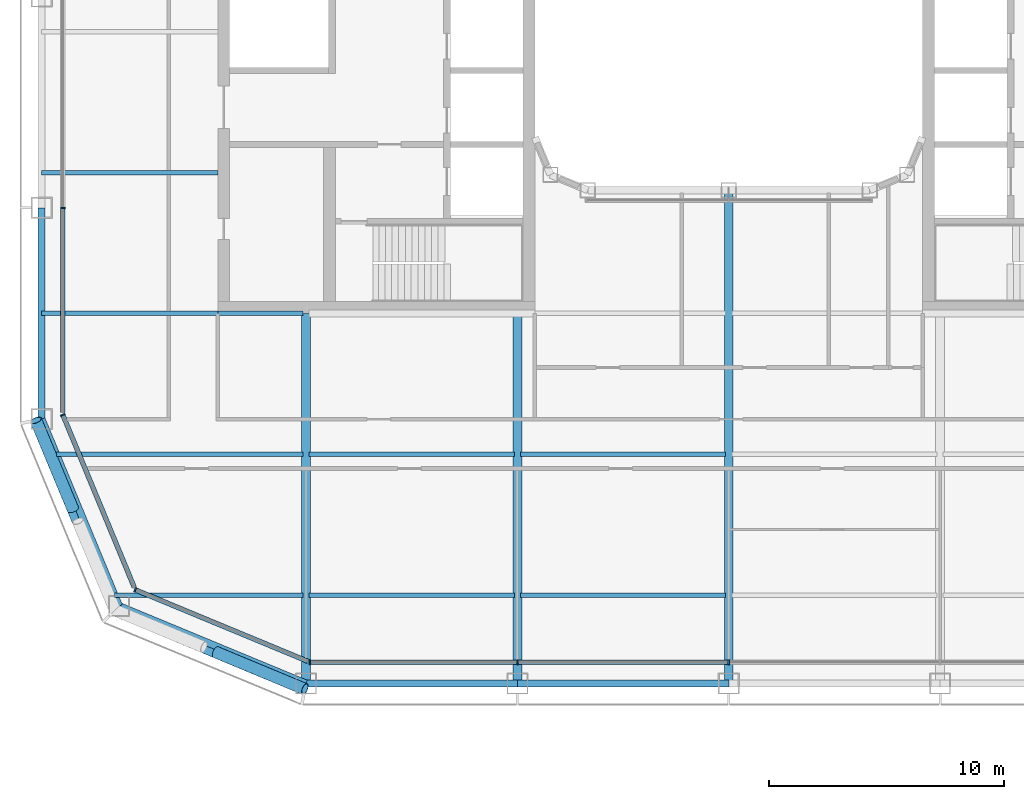
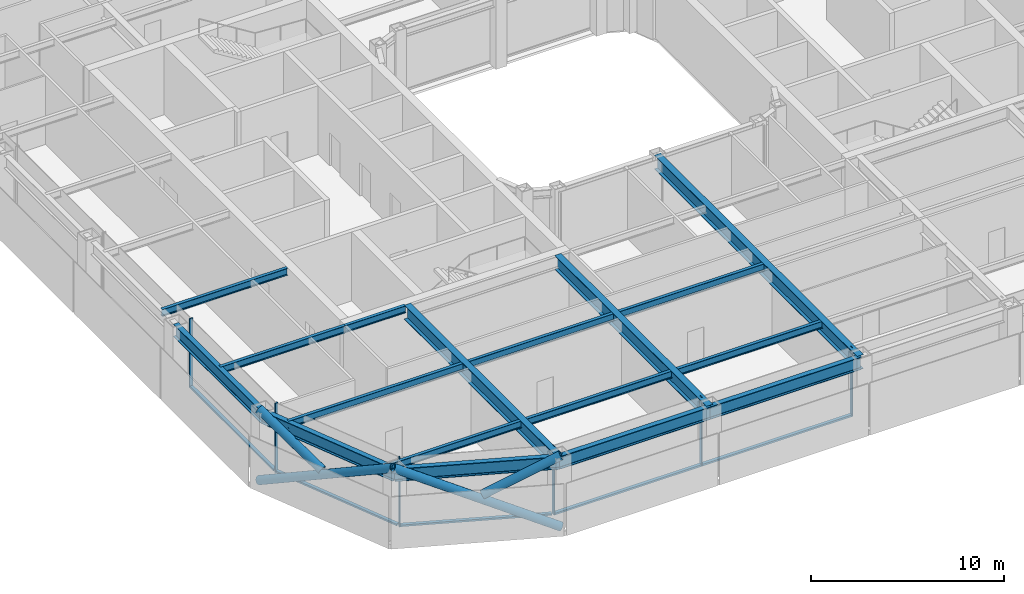
# One storey, part 2 of 23: 17 beams, 15 members, 4 elements without a shape of their own.
"""IFC4 building model written with IfcOpenShell, lengths in metres."""

from ifc_helpers import new_model, si_unit, direction, frame, origin, origin_2d, place, context, subcontext, project, spatial, rectangle, hollow_circle, i_section, extrude, material, layer, layer_set, material_profile, profile_set, type_object, element, aggregate, save


model = new_model("IFC4")

# Units and contexts
model_context = context("Model", 3, precision=1e-05, world=origin(), true_north=direction((0.0, 1.0)))
body_context = subcontext(model_context, "Body", "Model", "MODEL_VIEW")
ifc_project = project(units=[si_unit("LENGTHUNIT", "METRE"), si_unit("AREAUNIT", "SQUARE_METRE"), si_unit("VOLUMEUNIT", "CUBIC_METRE"), si_unit("PLANEANGLEUNIT", "RADIAN"), si_unit("MASSUNIT", "GRAM", prefix="KILO")], contexts=[model_context])

# Site, building, storey
site_placement = place(None, origin())
site = spatial("IfcSite", under=ifc_project, at=site_placement, CompositionType="ELEMENT")
building_placement = place(site_placement, origin())
building = spatial("IfcBuilding", under=site, at=building_placement, Name="Siwar Civic Tower", CompositionType="ELEMENT")
storey_placement = place(building_placement, frame((0.0, 0.0, 163.199951171875)))
storey = spatial("IfcBuildingStorey", under=building, at=storey_placement, Name="L35", CompositionType="ELEMENT", Elevation=163.199951171875)

# Curtain wall, members
ifc_material_1 = material(Name="Aluminium and glass", Category="aluminium")
ifc_layer_1 = layer(ifc_material_1, 0.199951171875)
ifc_layer_set_1 = layer_set([ifc_layer_1], Name="Aluminium and glass")
curtain_wall_type_1 = type_object("IfcCurtainWallType", Name="ENV-CW-B", PredefinedType="NOTDEFINED", material=ifc_layer_set_1)
curtain_wall_1_placement = place(storey_placement, origin())
curtain_wall_1 = element("IfcCurtainWall", 1, at=curtain_wall_1_placement, inside=storey, type_object=curtain_wall_type_1, Name="Curtain wall B S", PredefinedType="NOTDEFINED")
ifc_material_2 = material(Name="Aluminium 6063-T6", Category="aluminium")
ifc_material_profile_1 = material_profile(ifc_material_2, rectangle(XDim=0.199951171875, YDim=0.06494140625, at=origin_2d()), Name="AL 200x65")
ifc_profile_set_1 = profile_set([ifc_material_profile_1], Name="Aluminium 6063-T6")
member_type_1 = type_object("IfcMemberType", Name="ENV-MULLION-B", PredefinedType="MULLION", material=ifc_profile_set_1)
member_1_placement = place(storey_placement, frame((-17.821044921875, -28.35009765625, 0.0), z_axis=(0.0, 0.0, 1.0), x_axis=(0.0, 1.0, 0.0)))
member_1 = element("IfcMember", 2, at=member_1_placement, type_object=member_type_1, Name="Mullion B S 1", PredefinedType="MULLION", context=body_context, shape_type="SweptSolid", body=[
    extrude(rectangle(XDim=0.199951171875, YDim=0.06494140625, at=origin_2d()), origin(), (0.0, 0.0, 1.0), 4.35009765625),
])
member_2_placement = place(storey_placement, frame((-9.0, -28.35009765625, 0.0), z_axis=(0.0, 0.0, 1.0), x_axis=(0.0, 1.0, 0.0)))
member_2 = element("IfcMember", 3, at=member_2_placement, type_object=member_type_1, Name="Mullion B S 2", PredefinedType="MULLION", context=body_context, shape_type="SweptSolid", body=[
    extrude(rectangle(XDim=0.199951171875, YDim=0.06494140625, at=origin_2d()), origin(), (0.0, 0.0, 1.0), 4.35009765625),
])
member_3_placement = place(storey_placement, frame((0.0, -28.35009765625, 0.0), z_axis=(0.0, 0.0, 1.0), x_axis=(0.0, 1.0, 0.0)))
member_3 = element("IfcMember", 4, at=member_3_placement, type_object=member_type_1, Name="Mullion B S 3", PredefinedType="MULLION", context=body_context, shape_type="SweptSolid", body=[
    extrude(rectangle(XDim=0.199951171875, YDim=0.06494140625, at=origin_2d()), origin(), (0.0, 0.0, 1.0), 4.35009765625),
])

# Curtain wall, member
curtain_wall_2_placement = place(storey_placement, origin())
curtain_wall_2 = element("IfcCurtainWall", 5, at=curtain_wall_2_placement, inside=storey, type_object=curtain_wall_type_1, Name="Curtain wall B W", PredefinedType="NOTDEFINED")
member_4_placement = place(storey_placement, frame((-28.35009765625, -9.0, 0.0), z_axis=(0.0, 0.0, 1.0), x_axis=(1.0, 0.0, 0.0)))
member_4 = element("IfcMember", 6, at=member_4_placement, type_object=member_type_1, Name="Mullion B W 4", PredefinedType="MULLION", context=body_context, shape_type="SweptSolid", body=[
    extrude(rectangle(XDim=0.199951171875, YDim=0.06494140625, at=origin_2d()), origin(), (0.0, 0.0, 1.0), 4.35009765625),
])

ifc_material_3 = material(Name="Aluminium clad insulated panel", Category="aluminium")
ifc_layer_2 = layer(ifc_material_3, 0.199951171875)
ifc_layer_set_2 = layer_set([ifc_layer_2], Name="Aluminium clad insulated panel")
curtain_wall_type_2 = type_object("IfcCurtainWallType", Name="ENV-CW-BX", PredefinedType="NOTDEFINED", material=ifc_layer_set_2)
curtain_wall_3_placement = place(storey_placement, origin())
curtain_wall_3 = element("IfcCurtainWall", 7, at=curtain_wall_3_placement, inside=storey, type_object=curtain_wall_type_2, Name="Curtain wall B SW1", PredefinedType="NOTDEFINED")
member_5_placement = place(storey_placement, frame((-28.35009765625, -17.821044921875, 0.0), z_axis=(0.0, 0.0, 1.0), x_axis=(0.923879532511, 0.382683432365, 0.0)))
member_5 = element("IfcMember", 8, at=member_5_placement, type_object=member_type_1, Name="Mullion B SW1 1", PredefinedType="MULLION", context=body_context, shape_type="SweptSolid", body=[
    extrude(rectangle(XDim=0.199951171875, YDim=0.06494140625, at=origin_2d()), origin(), (0.0, 0.0, 1.0), 4.35009765625),
])

curtain_wall_4_placement = place(storey_placement, origin())
curtain_wall_4 = element("IfcCurtainWall", 9, at=curtain_wall_4_placement, inside=storey, type_object=curtain_wall_type_2, Name="Curtain wall B SW2", PredefinedType="NOTDEFINED")
member_6_placement = place(storey_placement, frame((-25.26611328125, -25.26611328125, 0.0), z_axis=(0.0, 0.0, 1.0), x_axis=(0.382683432365, 0.923879532511, 0.0)))
member_6 = element("IfcMember", 10, at=member_6_placement, type_object=member_type_1, Name="Mullion B SW2 1", PredefinedType="MULLION", context=body_context, shape_type="SweptSolid", body=[
    extrude(rectangle(XDim=0.199951171875, YDim=0.06494140625, at=origin_2d()), origin(), (0.0, 0.0, 1.0), 4.35009765625),
])

# Member
ifc_material_4 = material(Name="Aluminium 6063-T6", Category="aluminium")
ifc_material_profile_2 = material_profile(ifc_material_4, rectangle(XDim=0.199951171875, YDim=0.110107421875, at=origin_2d()), Name="AL 200x110")
ifc_profile_set_2 = profile_set([ifc_material_profile_2], Name="Aluminium 6063-T6")
member_type_2 = type_object("IfcMemberType", Name="ENV-TRANSOM-B", PredefinedType="USERDEFINED", material=ifc_profile_set_2)
member_7_placement = place(storey_placement, frame((-17.78857421875, -28.35009765625, 0.054931640625), z_axis=(1.0, 0.0, 0.0), x_axis=(0.0, 1.0, 0.0)))
member_7 = element("IfcMember", 11, at=member_7_placement, type_object=member_type_2, Name="Transom B S 1", ObjectType="TRANSOM", PredefinedType="USERDEFINED", context=body_context, shape_type="SweptSolid", body=[
    extrude(rectangle(XDim=0.199951171875, YDim=0.110107421875, at=origin_2d()), origin(), (0.0, 0.0, 1.0), 8.756103515625),
])

member_8_placement = place(storey_placement, frame((-8.967529296875, -28.35009765625, 0.054931640625), z_axis=(1.0, 0.0, 0.0), x_axis=(0.0, 1.0, 0.0)))
member_8 = element("IfcMember", 12, at=member_8_placement, type_object=member_type_2, Name="Transom B S 2", ObjectType="TRANSOM", PredefinedType="USERDEFINED", context=body_context, shape_type="SweptSolid", body=[
    extrude(rectangle(XDim=0.199951171875, YDim=0.110107421875, at=origin_2d()), origin(), (0.0, 0.0, 1.0), 8.93505859375),
])

aggregate(curtain_wall_1, [member_1, member_2, member_3, member_7, member_8])

member_9_placement = place(storey_placement, frame((-28.35009765625, -9.032470703125, 0.054931640625), z_axis=(0.0, -1.0, 0.0), x_axis=(1.0, 0.0, 0.0)))
member_9 = element("IfcMember", 13, at=member_9_placement, type_object=member_type_2, Name="Transom B W 4", ObjectType="TRANSOM", PredefinedType="USERDEFINED", context=body_context, shape_type="SweptSolid", body=[
    extrude(rectangle(XDim=0.199951171875, YDim=0.110107421875, at=origin_2d()), origin(), (0.0, 0.0, 1.0), 8.6748046875),
])

aggregate(curtain_wall_2, [member_4, member_9])

member_10_placement = place(storey_placement, frame((-28.337646484375, -17.85107421875, 0.054931640625), z_axis=(0.382699695651, -0.92387279587, 0.0), x_axis=(0.92387279587, 0.382699695651, 0.0)))
member_10 = element("IfcMember", 14, at=member_10_placement, type_object=member_type_2, Name="Transom B SW1 1", ObjectType="TRANSOM", PredefinedType="USERDEFINED", context=body_context, shape_type="SweptSolid", body=[
    extrude(rectangle(XDim=0.199951171875, YDim=0.110107421875, at=origin_2d()), origin(), (0.0, 0.0, 1.0), 7.912353515625),
])

aggregate(curtain_wall_3, [member_5, member_10])

member_11_placement = place(storey_placement, frame((-25.236083984375, -25.278564453125, 0.054931640625), z_axis=(0.923883705044, -0.382673358825, 0.0), x_axis=(0.382673358825, 0.923883705044, 0.0)))
member_11 = element("IfcMember", 15, at=member_11_placement, type_object=member_type_2, Name="Transom B SW2 1", ObjectType="TRANSOM", PredefinedType="USERDEFINED", context=body_context, shape_type="SweptSolid", body=[
    extrude(rectangle(XDim=0.199951171875, YDim=0.110107421875, at=origin_2d()), origin(), (0.0, 0.0, 1.0), 7.912353515625),
])

aggregate(curtain_wall_4, [member_6, member_11])

# Members
ifc_material_5 = material(Name="Steel S355", Category="steel")
ifc_material_profile_3 = material_profile(ifc_material_5, hollow_circle(Radius=0.25390625, WallThickness=0.02490234375, at=origin_2d()), Name="CHS508x25")
ifc_profile_set_3 = profile_set([ifc_material_profile_3], Name="Steel S355")
member_type_3 = type_object("IfcMemberType", Name="STR-BR-CHS508x25", PredefinedType="BRACE", material=ifc_profile_set_3)
member_12_placement = place(storey_placement, frame((-18.048828125, -29.4951171875, 0.0), z_axis=(-0.821142553604, 0.341671493852, 0.457149315816), x_axis=(-0.384163874976, -0.923264922524, 0.0)))
element("IfcMember", 16, at=member_12_placement, inside=storey, type_object=member_type_3, Name="L35/brc/BSW1-14-0-1", PredefinedType="BRACE", context=body_context, shape_type="SweptSolid", body=[
    extrude(hollow_circle(Radius=0.25390625, WallThickness=0.02490234375, at=origin_2d()), origin(), (0.0, 0.0, 1.0), 9.843505859375),
])
member_13_placement = place(storey_placement, frame((-21.837890625, -27.91845703125, 2.390625), z_axis=(0.821145902409, -0.34168558233, 0.457132770413), x_axis=(0.384176042158, 0.923259859753, 0.0)))
element("IfcMember", 17, at=member_13_placement, inside=storey, type_object=member_type_3, Name="L35/brc/BSW1-14-0-3", PredefinedType="BRACE", context=body_context, shape_type="SweptSolid", body=[
    extrude(hollow_circle(Radius=0.25390625, WallThickness=0.02490234375, at=origin_2d()), origin(), (0.0, 0.0, 1.0), 4.6142578125),
])
member_14_placement = place(storey_placement, frame((-29.4951171875, -18.048828125, 0.0), z_axis=(0.341671493852, -0.821142553604, 0.457149315816), x_axis=(0.923264922524, 0.384163874976, 0.0)))
element("IfcMember", 18, at=member_14_placement, inside=storey, type_object=member_type_3, Name="L35/brc/BSW1-14-0-0", PredefinedType="BRACE", context=body_context, shape_type="SweptSolid", body=[
    extrude(hollow_circle(Radius=0.25390625, WallThickness=0.02490234375, at=origin_2d()), origin(), (0.0, 0.0, 1.0), 9.843505859375),
])
member_15_placement = place(storey_placement, frame((-27.91845703125, -21.837890625, 2.390625), z_axis=(-0.34168558233, 0.821145902409, 0.457132770413), x_axis=(-0.923259859753, -0.384176042158, 0.0)))
element("IfcMember", 19, at=member_15_placement, inside=storey, type_object=member_type_3, Name="L35/brc/BSW1-14-0-5", PredefinedType="BRACE", context=body_context, shape_type="SweptSolid", body=[
    extrude(hollow_circle(Radius=0.25390625, WallThickness=0.02490234375, at=origin_2d()), origin(), (0.0, 0.0, 1.0), 4.6142578125),
])

# Beams
ifc_material_6 = material(Name="Steel S355", Category="steel")
ifc_material_profile_4 = material_profile(ifc_material_6, i_section(OverallWidth=0.18994140625, OverallDepth=0.449951171875, WebThickness=0.009521484375, FlangeThickness=0.0146484375, FilletRadius=0.02099609375, at=origin_2d()), Name="IPE450")
ifc_profile_set_4 = profile_set([ifc_material_profile_4], Name="Steel S355")
beam_type_1 = type_object("IfcBeamType", Name="STR-FB-IPE450", PredefinedType="JOIST", material=ifc_profile_set_4)
beam_1_placement = place(storey_placement, frame((-26.143310546875, -25.5, 4.125), z_axis=(1.0, 0.0, 0.0), x_axis=(0.0, 1.0, 0.0)))
element("IfcBeam", 20, at=beam_1_placement, inside=storey, type_object=beam_type_1, Name="L35/bm/F001", PredefinedType="JOIST", context=body_context, shape_type="SweptSolid", body=[
    extrude(i_section(OverallWidth=0.18994140625, OverallDepth=0.449951171875, WebThickness=0.009521484375, FlangeThickness=0.0146484375, FilletRadius=0.02099609375, at=origin_2d()), origin(), (0.0, 0.0, 1.0), 8.013427734375),
])
for number, where, z_axis, x_axis, name in (
    (21, (-17.8701171875, -25.5, 4.125), (1.0, 0.0, 0.0), (0.0, 1.0, 0.0), "L35/bm/F002"),
    (22, (-8.8701171875, -25.5, 4.125), (1.0, 0.0, 0.0), (0.0, 1.0, 0.0), "L35/bm/F003"),
):
    element("IfcBeam", number, at=place(storey_placement, frame(where, z_axis=z_axis, x_axis=x_axis)), inside=storey, type_object=beam_type_1, Name=name, PredefinedType="JOIST", context=body_context, shape_type="SweptSolid", body=[
        extrude(i_section(OverallWidth=0.18994140625, OverallDepth=0.449951171875, WebThickness=0.009521484375, FlangeThickness=0.0146484375, FilletRadius=0.02099609375, at=origin_2d()), origin(), (0.0, 0.0, 1.0), 8.740234375),
    ])
beam_2_placement = place(storey_placement, frame((-28.628662109375, -19.5, 4.125), z_axis=(1.0, 0.0, 0.0), x_axis=(0.0, 1.0, 0.0)))
element("IfcBeam", 23, at=beam_2_placement, inside=storey, type_object=beam_type_1, Name="L35/bm/F007", PredefinedType="JOIST", context=body_context, shape_type="SweptSolid", body=[
    extrude(i_section(OverallWidth=0.18994140625, OverallDepth=0.449951171875, WebThickness=0.009521484375, FlangeThickness=0.0146484375, FilletRadius=0.02099609375, at=origin_2d()), origin(), (0.0, 0.0, 1.0), 10.498779296875),
])
for number, where, z_axis, x_axis, name in (
    (24, (-17.8701171875, -19.5, 4.125), (1.0, 0.0, 0.0), (0.0, 1.0, 0.0), "L35/bm/F008"),
    (25, (-8.8701171875, -19.5, 4.125), (1.0, 0.0, 0.0), (0.0, 1.0, 0.0), "L35/bm/F009"),
):
    element("IfcBeam", number, at=place(storey_placement, frame(where, z_axis=z_axis, x_axis=x_axis)), inside=storey, type_object=beam_type_1, Name=name, PredefinedType="JOIST", context=body_context, shape_type="SweptSolid", body=[
        extrude(i_section(OverallWidth=0.18994140625, OverallDepth=0.449951171875, WebThickness=0.009521484375, FlangeThickness=0.0146484375, FilletRadius=0.02099609375, at=origin_2d()), origin(), (0.0, 0.0, 1.0), 8.740234375),
    ])
beam_3_placement = place(storey_placement, frame((-29.25, -13.5, 4.125), z_axis=(1.0, 0.0, 0.0), x_axis=(0.0, 1.0, 0.0)))
element("IfcBeam", 26, at=beam_3_placement, inside=storey, type_object=beam_type_1, Name="L35/bm/F013", PredefinedType="JOIST", context=body_context, shape_type="SweptSolid", body=[
    extrude(i_section(OverallWidth=0.18994140625, OverallDepth=0.449951171875, WebThickness=0.009521484375, FlangeThickness=0.0146484375, FilletRadius=0.02099609375, at=origin_2d()), origin(), (0.0, 0.0, 1.0), 7.5),
])
beam_4_placement = place(storey_placement, frame((-21.75, -13.5, 4.125), z_axis=(1.0, 0.0, 0.0), x_axis=(0.0, 1.0, 0.0)))
element("IfcBeam", 27, at=beam_4_placement, inside=storey, type_object=beam_type_1, Name="L35/bm/F014", PredefinedType="JOIST", context=body_context, shape_type="SweptSolid", body=[
    extrude(i_section(OverallWidth=0.18994140625, OverallDepth=0.449951171875, WebThickness=0.009521484375, FlangeThickness=0.0146484375, FilletRadius=0.02099609375, at=origin_2d()), origin(), (0.0, 0.0, 1.0), 3.6201171875),
])
beam_5_placement = place(storey_placement, frame((-29.25, -7.5, 4.125), z_axis=(1.0, 0.0, 0.0), x_axis=(0.0, 1.0, 0.0)))
element("IfcBeam", 28, at=beam_5_placement, inside=storey, type_object=beam_type_1, Name="L35/bm/F021", PredefinedType="JOIST", context=body_context, shape_type="SweptSolid", body=[
    extrude(i_section(OverallWidth=0.18994140625, OverallDepth=0.449951171875, WebThickness=0.009521484375, FlangeThickness=0.0146484375, FilletRadius=0.02099609375, at=origin_2d()), origin(), (0.0, 0.0, 1.0), 7.5),
])
ifc_material_7 = material(Name="Steel S355", Category="steel")
ifc_material_profile_5 = material_profile(ifc_material_7, i_section(OverallWidth=0.3798828125, OverallDepth=0.89990234375, WebThickness=0.01611328125, FlangeThickness=0.035888671875, at=origin_2d()), Name="PG900x380x16x36")
ifc_profile_set_5 = profile_set([ifc_material_profile_5], Name="Steel S355")
beam_type_2 = type_object("IfcBeamType", Name="STR-PG-PG900x380x16x36", PredefinedType="BEAM", material=ifc_profile_set_5)
for number, where, z_axis, x_axis, name in (
    (29, (-18.0, -29.25, 3.900146484375), (0.0, 1.0, 0.0), (-1.0, 0.0, 0.0), "L35/bm/G01"),
    (30, (-9.0, -29.25, 3.900146484375), (0.0, 1.0, 0.0), (-1.0, 0.0, 0.0), "L35/bm/G03"),
):
    element("IfcBeam", number, at=place(storey_placement, frame(where, z_axis=z_axis, x_axis=x_axis)), inside=storey, type_object=beam_type_2, Name=name, PredefinedType="BEAM", context=body_context, shape_type="SweptSolid", body=[
        extrude(i_section(OverallWidth=0.3798828125, OverallDepth=0.89990234375, WebThickness=0.01611328125, FlangeThickness=0.035888671875, at=origin_2d()), origin(), (0.0, 0.0, 1.0), 15.75),
    ])
beam_6_placement = place(storey_placement, frame((0.0, -29.25, 3.900146484375), z_axis=(0.0, 1.0, 0.0), x_axis=(-1.0, 0.0, 0.0)))
element("IfcBeam", 31, at=beam_6_placement, inside=storey, type_object=beam_type_2, Name="L35/bm/G05", PredefinedType="BEAM", context=body_context, shape_type="SweptSolid", body=[
    extrude(i_section(OverallWidth=0.3798828125, OverallDepth=0.89990234375, WebThickness=0.01611328125, FlangeThickness=0.035888671875, at=origin_2d()), origin(), (0.0, 0.0, 1.0), 21.0),
])
ifc_material_8 = material(Name="Steel S355", Category="steel")
ifc_material_profile_6 = material_profile(ifc_material_8, i_section(OverallWidth=0.300048828125, OverallDepth=0.800048828125, WebThickness=0.017578125, FlangeThickness=0.032958984375, FilletRadius=0.030029296875, at=origin_2d()), Name="HEB800")
ifc_profile_set_6 = profile_set([ifc_material_profile_6], Name="Steel S355")
beam_type_3 = type_object("IfcBeamType", Name="STR-SB-HEB800", PredefinedType="BEAM", material=ifc_profile_set_6)
for number, where, z_axis, x_axis, name in (
    (32, (-18.0, -29.25, 3.949951171875), (1.0, 0.0, 0.0), (0.0, 1.0, 0.0), "L35/bm/SS-0"),
    (33, (-9.0, -29.25, 3.949951171875), (1.0, 0.0, 0.0), (0.0, 1.0, 0.0), "L35/bm/SS-1"),
    (34, (-29.25, -9.0, 3.949951171875), (0.0, -1.0, 0.0), (1.0, 0.0, 0.0), "L35/bm/SW-3"),
):
    element("IfcBeam", number, at=place(storey_placement, frame(where, z_axis=z_axis, x_axis=x_axis)), inside=storey, type_object=beam_type_3, Name=name, PredefinedType="BEAM", context=body_context, shape_type="SweptSolid", body=[
        extrude(i_section(OverallWidth=0.300048828125, OverallDepth=0.800048828125, WebThickness=0.017578125, FlangeThickness=0.032958984375, FilletRadius=0.030029296875, at=origin_2d()), origin(), (0.0, 0.0, 1.0), 9.0),
    ])
for number, where, z_axis, x_axis, name in (
    (35, (-29.25, -18.0, 3.949951171875), (0.382699877515, -0.923872720536, 0.0), (0.923872720536, 0.382699877515, 0.0), "L35/bm/SSW1-0"),
    (36, (-25.954833984375, -25.954833984375, 3.949951171875), (0.923872720536, -0.382699877515, 0.0), (0.382699877515, 0.923872720536, 0.0), "L35/bm/SSW2-0"),
):
    element("IfcBeam", number, at=place(storey_placement, frame(where, z_axis=z_axis, x_axis=x_axis)), inside=storey, type_object=beam_type_3, Name=name, PredefinedType="BEAM", context=body_context, shape_type="SweptSolid", body=[
        extrude(i_section(OverallWidth=0.300048828125, OverallDepth=0.800048828125, WebThickness=0.017578125, FlangeThickness=0.032958984375, FilletRadius=0.030029296875, at=origin_2d()), origin(), (0.0, 0.0, 1.0), 8.6103515625),
    ])

save(model, "model.ifc")
